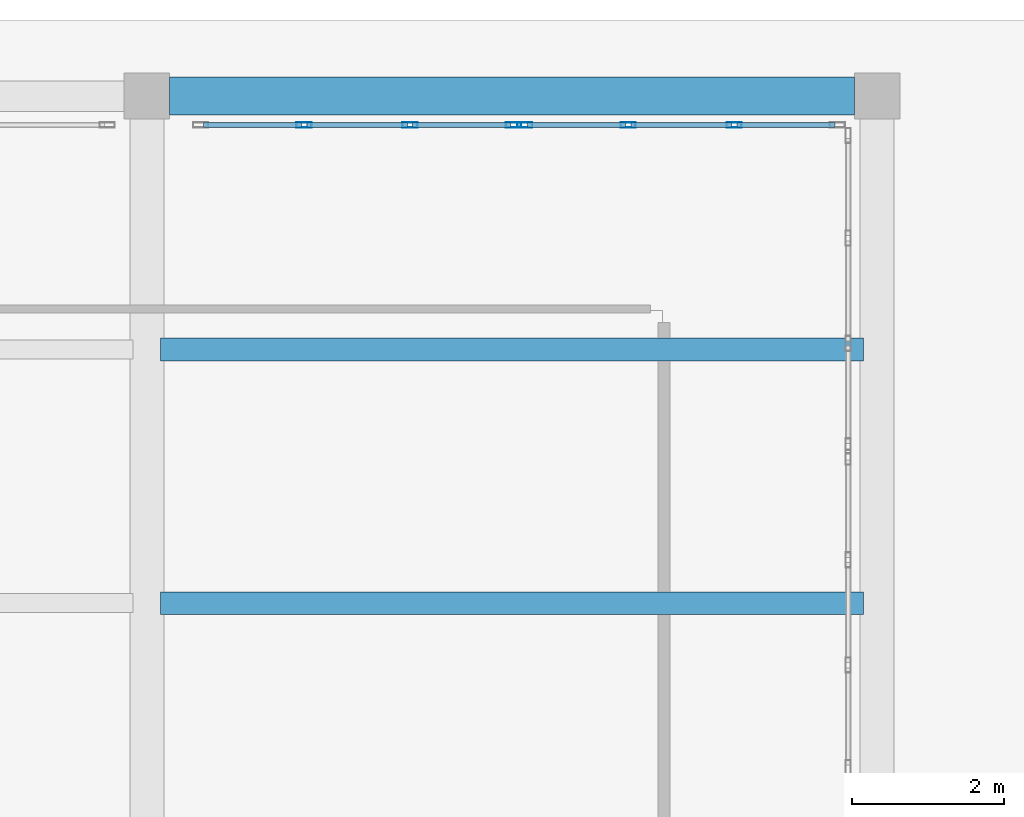
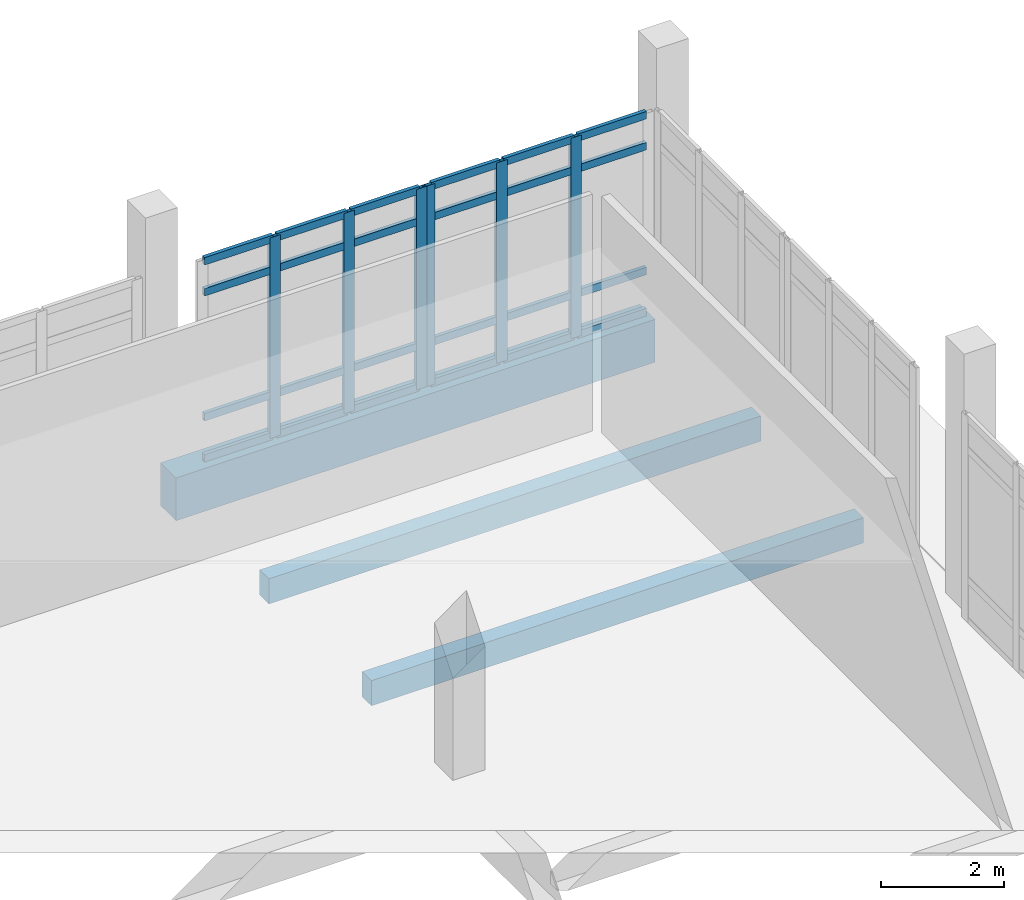
# One storey, part 34 of 64: 30 members, 3 beams, 2 elements without a shape of their own.
"""IFC4 building model written with IfcOpenShell, lengths in metres."""

from ifc_helpers import new_model, si_unit, derived_unit, direction, frame, origin, origin_2d, place, context, subcontext, project, spatial, rectangle, hollow_rectangle, extrude, material, layer, layer_set, material_profile, profile_set, type_object, element, aggregate, save


model = new_model("IFC4")

# Units and contexts
model_context = context("Model", 3, precision=1e-05, world=origin(), true_north=direction((0.0, 1.0)))
body_context = subcontext(model_context, "Body", "Model", "MODEL_VIEW")
ifc_project = project(units=[si_unit("LENGTHUNIT", "METRE"), si_unit("AREAUNIT", "SQUARE_METRE"), si_unit("VOLUMEUNIT", "CUBIC_METRE"), si_unit("PLANEANGLEUNIT", "RADIAN"), si_unit("MASSUNIT", "GRAM", prefix="KILO"), derived_unit("THERMALTRANSMITTANCEUNIT", [(si_unit("POWERUNIT", "WATT"), 1), (si_unit("LENGTHUNIT", "METRE"), -2), (si_unit("THERMODYNAMICTEMPERATUREUNIT", "KELVIN"), -1)])], contexts=[model_context])

# Site, building, storey
site_placement = place(None, origin())
site = spatial("IfcSite", under=ifc_project, at=site_placement, CompositionType="ELEMENT")
building_placement = place(site_placement, origin())
building = spatial("IfcBuilding", under=site, at=building_placement, Name="Elbkamm Science Centre", CompositionType="ELEMENT")
storey_placement = place(building_placement, origin())
storey = spatial("IfcBuildingStorey", under=building, at=storey_placement, Name="L00", CompositionType="ELEMENT", Elevation=0.0)

# Beam
ifc_material_1 = material(Name="Concrete C40/50", Category="concrete")
ifc_material_profile_1 = material_profile(ifc_material_1, rectangle(XDim=0.5, YDim=0.85009765625, at=origin_2d()), Name="RC 500x850")
ifc_profile_set_1 = profile_set([ifc_material_profile_1], Name="Concrete C40/50")
beam_type_1 = type_object("IfcBeamType", Name="BM-RC-500x850", PredefinedType="BEAM", material=ifc_profile_set_1)
beam_placement = place(storey_placement, frame((151.5, 110.800048828125, -0.72509765625), z_axis=(1.0, 0.0, 0.0), x_axis=(0.0, 1.0, 0.0)))
element("IfcBeam", 1, at=beam_placement, inside=storey, type_object=beam_type_1, Name="L00 Primary X-Girder 094", PredefinedType="BEAM", context=body_context, shape_type="SweptSolid", body=[
    extrude(rectangle(XDim=0.5, YDim=0.85009765625, at=origin_2d()), origin(), (0.0, 0.0, 1.0), 9.0),
])

# Curtain wall, members
ifc_material_2 = material(Name="Powder-coated aluminium and triple low-E glazing", Category="aluminium")
ifc_layer = layer(ifc_material_2, 0.159912109375)
ifc_layer_set = layer_set([ifc_layer], Name="Powder-coated aluminium and triple low-E glazing")
curtain_wall_type = type_object("IfcCurtainWallType", Name="CW-UNIT-4180x3980", PredefinedType="USERDEFINED", material=ifc_layer_set)
curtain_wall_1_placement = place(storey_placement, origin())
curtain_wall_1 = element("IfcCurtainWall", 2, at=curtain_wall_1_placement, inside=storey, type_object=curtain_wall_type, Name="L00 Unitised Curtain Wall 112", ObjectType="UNITISED CURTAIN WALL", PredefinedType="USERDEFINED")
ifc_material_3 = material(Name="Powder-coated aluminium EN AW-6060", Category="aluminium")
ifc_material_profile_2 = material_profile(ifc_material_3, hollow_rectangle(XDim=0.070068359375, YDim=0.199951171875, WallThickness=0.00439453125, at=origin_2d()), Name="ALU M70x200")
ifc_profile_set_2 = profile_set([ifc_material_profile_2], Name="Powder-coated aluminium EN AW-6060")
member_type_1 = type_object("IfcMemberType", Name="CW-MUL-70x200", PredefinedType="MULLION", material=ifc_profile_set_2)
member_1_placement = place(storey_placement, frame((153.2666015625, 110.419921875, 0.0), z_axis=(0.0, 0.0, 1.0), x_axis=(0.0, 1.0, 0.0)))
member_1 = element("IfcMember", 3, at=member_1_placement, type_object=member_type_1, Name="CW-056 mullion 2", PredefinedType="MULLION", context=body_context, shape_type="SweptSolid", body=[
    extrude(hollow_rectangle(XDim=0.070068359375, YDim=0.199951171875, WallThickness=0.00439453125, at=origin_2d()), origin(), (0.0, 0.0, 1.0), 3.97998046875),
])
member_2_placement = place(storey_placement, frame((154.66015625, 110.419921875, 0.0), z_axis=(0.0, 0.0, 1.0), x_axis=(0.0, 1.0, 0.0)))
member_2 = element("IfcMember", 4, at=member_2_placement, type_object=member_type_1, Name="CW-056 mullion 3", PredefinedType="MULLION", context=body_context, shape_type="SweptSolid", body=[
    extrude(hollow_rectangle(XDim=0.070068359375, YDim=0.199951171875, WallThickness=0.00439453125, at=origin_2d()), origin(), (0.0, 0.0, 1.0), 3.97998046875),
])
member_3_placement = place(storey_placement, frame((156.0185546875, 110.419921875, 0.0), z_axis=(0.0, 0.0, 1.0), x_axis=(0.0, 1.0, 0.0)))
member_3 = element("IfcMember", 5, at=member_3_placement, type_object=member_type_1, Name="CW-056 mullion 4", PredefinedType="MULLION", context=body_context, shape_type="SweptSolid", body=[
    extrude(hollow_rectangle(XDim=0.070068359375, YDim=0.199951171875, WallThickness=0.00439453125, at=origin_2d()), origin(), (0.0, 0.0, 1.0), 3.97998046875),
])

curtain_wall_2_placement = place(storey_placement, origin())
curtain_wall_2 = element("IfcCurtainWall", 6, at=curtain_wall_2_placement, inside=storey, type_object=curtain_wall_type, Name="L00 Unitised Curtain Wall 113", ObjectType="UNITISED CURTAIN WALL", PredefinedType="USERDEFINED")
member_4_placement = place(storey_placement, frame((156.16845703125, 110.419921875, 0.0), z_axis=(0.0, 0.0, 1.0), x_axis=(0.0, 1.0, 0.0)))
member_4 = element("IfcMember", 7, at=member_4_placement, type_object=member_type_1, Name="CW-056 mullion 1", PredefinedType="MULLION", context=body_context, shape_type="SweptSolid", body=[
    extrude(hollow_rectangle(XDim=0.070068359375, YDim=0.199951171875, WallThickness=0.00439453125, at=origin_2d()), origin(), (0.0, 0.0, 1.0), 3.97998046875),
])
member_5_placement = place(storey_placement, frame((157.52685546875, 110.419921875, 0.0), z_axis=(0.0, 0.0, 1.0), x_axis=(0.0, 1.0, 0.0)))
member_5 = element("IfcMember", 8, at=member_5_placement, type_object=member_type_1, Name="CW-056 mullion 2", PredefinedType="MULLION", context=body_context, shape_type="SweptSolid", body=[
    extrude(hollow_rectangle(XDim=0.070068359375, YDim=0.199951171875, WallThickness=0.00439453125, at=origin_2d()), origin(), (0.0, 0.0, 1.0), 3.97998046875),
])
member_6_placement = place(storey_placement, frame((158.92041015625, 110.419921875, 0.0), z_axis=(0.0, 0.0, 1.0), x_axis=(0.0, 1.0, 0.0)))
member_6 = element("IfcMember", 9, at=member_6_placement, type_object=member_type_1, Name="CW-056 mullion 3", PredefinedType="MULLION", context=body_context, shape_type="SweptSolid", body=[
    extrude(hollow_rectangle(XDim=0.070068359375, YDim=0.199951171875, WallThickness=0.00439453125, at=origin_2d()), origin(), (0.0, 0.0, 1.0), 3.97998046875),
])

# Member
ifc_material_profile_3 = material_profile(ifc_material_3, hollow_rectangle(XDim=0.070068359375, YDim=0.14990234375, WallThickness=0.00390625, at=origin_2d()), Name="ALU T70x150")
ifc_profile_set_3 = profile_set([ifc_material_profile_3], Name="Powder-coated aluminium EN AW-6060")
member_type_2 = type_object("IfcMemberType", Name="CW-TRN-70x150", PredefinedType="USERDEFINED", material=ifc_profile_set_3)
member_7_placement = place(storey_placement, frame((151.943359375, 110.419921875, 0.034912109375), z_axis=(1.0, 0.0, 0.0), x_axis=(0.0, 1.0, 0.0)))
member_7 = element("IfcMember", 10, at=member_7_placement, type_object=member_type_2, Name="CW-056 transom 1.1", ObjectType="TRANSOM", PredefinedType="USERDEFINED", context=body_context, shape_type="SweptSolid", body=[
    extrude(hollow_rectangle(XDim=0.070068359375, YDim=0.14990234375, WallThickness=0.00390625, at=origin_2d()), origin(), (0.0, 0.0, 1.0), 1.288330078125),
])

member_8_placement = place(storey_placement, frame((151.943359375, 110.419921875, 0.85009765625), z_axis=(1.0, 0.0, 0.0), x_axis=(0.0, 1.0, 0.0)))
member_8 = element("IfcMember", 11, at=member_8_placement, type_object=member_type_2, Name="CW-056 transom 1.2", ObjectType="TRANSOM", PredefinedType="USERDEFINED", context=body_context, shape_type="SweptSolid", body=[
    extrude(hollow_rectangle(XDim=0.070068359375, YDim=0.14990234375, WallThickness=0.00390625, at=origin_2d()), origin(), (0.0, 0.0, 1.0), 1.288330078125),
])

member_9_placement = place(storey_placement, frame((151.943359375, 110.419921875, 3.330078125), z_axis=(1.0, 0.0, 0.0), x_axis=(0.0, 1.0, 0.0)))
member_9 = element("IfcMember", 12, at=member_9_placement, type_object=member_type_2, Name="CW-056 transom 1.3", ObjectType="TRANSOM", PredefinedType="USERDEFINED", context=body_context, shape_type="SweptSolid", body=[
    extrude(hollow_rectangle(XDim=0.070068359375, YDim=0.14990234375, WallThickness=0.00390625, at=origin_2d()), origin(), (0.0, 0.0, 1.0), 1.288330078125),
])

member_10_placement = place(storey_placement, frame((151.943359375, 110.419921875, 3.945068359375), z_axis=(1.0, 0.0, 0.0), x_axis=(0.0, 1.0, 0.0)))
member_10 = element("IfcMember", 13, at=member_10_placement, type_object=member_type_2, Name="CW-056 transom 1.4", ObjectType="TRANSOM", PredefinedType="USERDEFINED", context=body_context, shape_type="SweptSolid", body=[
    extrude(hollow_rectangle(XDim=0.070068359375, YDim=0.14990234375, WallThickness=0.00390625, at=origin_2d()), origin(), (0.0, 0.0, 1.0), 1.288330078125),
])

member_11_placement = place(storey_placement, frame((153.3017578125, 110.419921875, 0.034912109375), z_axis=(1.0, 0.0, 0.0), x_axis=(0.0, 1.0, 0.0)))
member_11 = element("IfcMember", 14, at=member_11_placement, type_object=member_type_2, Name="CW-056 transom 2.1", ObjectType="TRANSOM", PredefinedType="USERDEFINED", context=body_context, shape_type="SweptSolid", body=[
    extrude(hollow_rectangle(XDim=0.070068359375, YDim=0.14990234375, WallThickness=0.00390625, at=origin_2d()), origin(), (0.0, 0.0, 1.0), 1.3232421875),
])

member_12_placement = place(storey_placement, frame((153.3017578125, 110.419921875, 0.85009765625), z_axis=(1.0, 0.0, 0.0), x_axis=(0.0, 1.0, 0.0)))
member_12 = element("IfcMember", 15, at=member_12_placement, type_object=member_type_2, Name="CW-056 transom 2.2", ObjectType="TRANSOM", PredefinedType="USERDEFINED", context=body_context, shape_type="SweptSolid", body=[
    extrude(hollow_rectangle(XDim=0.070068359375, YDim=0.14990234375, WallThickness=0.00390625, at=origin_2d()), origin(), (0.0, 0.0, 1.0), 1.3232421875),
])

member_13_placement = place(storey_placement, frame((153.3017578125, 110.419921875, 3.330078125), z_axis=(1.0, 0.0, 0.0), x_axis=(0.0, 1.0, 0.0)))
member_13 = element("IfcMember", 16, at=member_13_placement, type_object=member_type_2, Name="CW-056 transom 2.3", ObjectType="TRANSOM", PredefinedType="USERDEFINED", context=body_context, shape_type="SweptSolid", body=[
    extrude(hollow_rectangle(XDim=0.070068359375, YDim=0.14990234375, WallThickness=0.00390625, at=origin_2d()), origin(), (0.0, 0.0, 1.0), 1.3232421875),
])

member_14_placement = place(storey_placement, frame((153.3017578125, 110.419921875, 3.945068359375), z_axis=(1.0, 0.0, 0.0), x_axis=(0.0, 1.0, 0.0)))
member_14 = element("IfcMember", 17, at=member_14_placement, type_object=member_type_2, Name="CW-056 transom 2.4", ObjectType="TRANSOM", PredefinedType="USERDEFINED", context=body_context, shape_type="SweptSolid", body=[
    extrude(hollow_rectangle(XDim=0.070068359375, YDim=0.14990234375, WallThickness=0.00390625, at=origin_2d()), origin(), (0.0, 0.0, 1.0), 1.3232421875),
])

member_15_placement = place(storey_placement, frame((154.695068359375, 110.419921875, 0.034912109375), z_axis=(1.0, 0.0, 0.0), x_axis=(0.0, 1.0, 0.0)))
member_15 = element("IfcMember", 18, at=member_15_placement, type_object=member_type_2, Name="CW-056 transom 3.1", ObjectType="TRANSOM", PredefinedType="USERDEFINED", context=body_context, shape_type="SweptSolid", body=[
    extrude(hollow_rectangle(XDim=0.070068359375, YDim=0.14990234375, WallThickness=0.00390625, at=origin_2d()), origin(), (0.0, 0.0, 1.0), 1.288330078125),
])

member_16_placement = place(storey_placement, frame((154.695068359375, 110.419921875, 0.85009765625), z_axis=(1.0, 0.0, 0.0), x_axis=(0.0, 1.0, 0.0)))
member_16 = element("IfcMember", 19, at=member_16_placement, type_object=member_type_2, Name="CW-056 transom 3.2", ObjectType="TRANSOM", PredefinedType="USERDEFINED", context=body_context, shape_type="SweptSolid", body=[
    extrude(hollow_rectangle(XDim=0.070068359375, YDim=0.14990234375, WallThickness=0.00390625, at=origin_2d()), origin(), (0.0, 0.0, 1.0), 1.288330078125),
])

member_17_placement = place(storey_placement, frame((154.695068359375, 110.419921875, 3.330078125), z_axis=(1.0, 0.0, 0.0), x_axis=(0.0, 1.0, 0.0)))
member_17 = element("IfcMember", 20, at=member_17_placement, type_object=member_type_2, Name="CW-056 transom 3.3", ObjectType="TRANSOM", PredefinedType="USERDEFINED", context=body_context, shape_type="SweptSolid", body=[
    extrude(hollow_rectangle(XDim=0.070068359375, YDim=0.14990234375, WallThickness=0.00390625, at=origin_2d()), origin(), (0.0, 0.0, 1.0), 1.288330078125),
])

member_18_placement = place(storey_placement, frame((154.695068359375, 110.419921875, 3.945068359375), z_axis=(1.0, 0.0, 0.0), x_axis=(0.0, 1.0, 0.0)))
member_18 = element("IfcMember", 21, at=member_18_placement, type_object=member_type_2, Name="CW-056 transom 3.4", ObjectType="TRANSOM", PredefinedType="USERDEFINED", context=body_context, shape_type="SweptSolid", body=[
    extrude(hollow_rectangle(XDim=0.070068359375, YDim=0.14990234375, WallThickness=0.00390625, at=origin_2d()), origin(), (0.0, 0.0, 1.0), 1.288330078125),
])

aggregate(curtain_wall_1, [member_1, member_2, member_3, member_7, member_8, member_9, member_10, member_11, member_12, member_13, member_14, member_15, member_16, member_17, member_18])

member_19_placement = place(storey_placement, frame((156.20361328125, 110.419921875, 0.034912109375), z_axis=(1.0, 0.0, 0.0), x_axis=(0.0, 1.0, 0.0)))
member_19 = element("IfcMember", 22, at=member_19_placement, type_object=member_type_2, Name="CW-056 transom 1.1", ObjectType="TRANSOM", PredefinedType="USERDEFINED", context=body_context, shape_type="SweptSolid", body=[
    extrude(hollow_rectangle(XDim=0.070068359375, YDim=0.14990234375, WallThickness=0.00390625, at=origin_2d()), origin(), (0.0, 0.0, 1.0), 1.288330078125),
])

member_20_placement = place(storey_placement, frame((156.20361328125, 110.419921875, 0.85009765625), z_axis=(1.0, 0.0, 0.0), x_axis=(0.0, 1.0, 0.0)))
member_20 = element("IfcMember", 23, at=member_20_placement, type_object=member_type_2, Name="CW-056 transom 1.2", ObjectType="TRANSOM", PredefinedType="USERDEFINED", context=body_context, shape_type="SweptSolid", body=[
    extrude(hollow_rectangle(XDim=0.070068359375, YDim=0.14990234375, WallThickness=0.00390625, at=origin_2d()), origin(), (0.0, 0.0, 1.0), 1.288330078125),
])

member_21_placement = place(storey_placement, frame((156.20361328125, 110.419921875, 3.330078125), z_axis=(1.0, 0.0, 0.0), x_axis=(0.0, 1.0, 0.0)))
member_21 = element("IfcMember", 24, at=member_21_placement, type_object=member_type_2, Name="CW-056 transom 1.3", ObjectType="TRANSOM", PredefinedType="USERDEFINED", context=body_context, shape_type="SweptSolid", body=[
    extrude(hollow_rectangle(XDim=0.070068359375, YDim=0.14990234375, WallThickness=0.00390625, at=origin_2d()), origin(), (0.0, 0.0, 1.0), 1.288330078125),
])

member_22_placement = place(storey_placement, frame((156.20361328125, 110.419921875, 3.945068359375), z_axis=(1.0, 0.0, 0.0), x_axis=(0.0, 1.0, 0.0)))
member_22 = element("IfcMember", 25, at=member_22_placement, type_object=member_type_2, Name="CW-056 transom 1.4", ObjectType="TRANSOM", PredefinedType="USERDEFINED", context=body_context, shape_type="SweptSolid", body=[
    extrude(hollow_rectangle(XDim=0.070068359375, YDim=0.14990234375, WallThickness=0.00390625, at=origin_2d()), origin(), (0.0, 0.0, 1.0), 1.288330078125),
])

member_23_placement = place(storey_placement, frame((157.56201171875, 110.419921875, 0.034912109375), z_axis=(1.0, 0.0, 0.0), x_axis=(0.0, 1.0, 0.0)))
member_23 = element("IfcMember", 26, at=member_23_placement, type_object=member_type_2, Name="CW-056 transom 2.1", ObjectType="TRANSOM", PredefinedType="USERDEFINED", context=body_context, shape_type="SweptSolid", body=[
    extrude(hollow_rectangle(XDim=0.070068359375, YDim=0.14990234375, WallThickness=0.00390625, at=origin_2d()), origin(), (0.0, 0.0, 1.0), 1.3232421875),
])

member_24_placement = place(storey_placement, frame((157.56201171875, 110.419921875, 0.85009765625), z_axis=(1.0, 0.0, 0.0), x_axis=(0.0, 1.0, 0.0)))
member_24 = element("IfcMember", 27, at=member_24_placement, type_object=member_type_2, Name="CW-056 transom 2.2", ObjectType="TRANSOM", PredefinedType="USERDEFINED", context=body_context, shape_type="SweptSolid", body=[
    extrude(hollow_rectangle(XDim=0.070068359375, YDim=0.14990234375, WallThickness=0.00390625, at=origin_2d()), origin(), (0.0, 0.0, 1.0), 1.3232421875),
])

member_25_placement = place(storey_placement, frame((157.56201171875, 110.419921875, 3.330078125), z_axis=(1.0, 0.0, 0.0), x_axis=(0.0, 1.0, 0.0)))
member_25 = element("IfcMember", 28, at=member_25_placement, type_object=member_type_2, Name="CW-056 transom 2.3", ObjectType="TRANSOM", PredefinedType="USERDEFINED", context=body_context, shape_type="SweptSolid", body=[
    extrude(hollow_rectangle(XDim=0.070068359375, YDim=0.14990234375, WallThickness=0.00390625, at=origin_2d()), origin(), (0.0, 0.0, 1.0), 1.3232421875),
])

member_26_placement = place(storey_placement, frame((157.56201171875, 110.419921875, 3.945068359375), z_axis=(1.0, 0.0, 0.0), x_axis=(0.0, 1.0, 0.0)))
member_26 = element("IfcMember", 29, at=member_26_placement, type_object=member_type_2, Name="CW-056 transom 2.4", ObjectType="TRANSOM", PredefinedType="USERDEFINED", context=body_context, shape_type="SweptSolid", body=[
    extrude(hollow_rectangle(XDim=0.070068359375, YDim=0.14990234375, WallThickness=0.00390625, at=origin_2d()), origin(), (0.0, 0.0, 1.0), 1.3232421875),
])

member_27_placement = place(storey_placement, frame((158.955322265625, 110.419921875, 0.034912109375), z_axis=(1.0, 0.0, 0.0), x_axis=(0.0, 1.0, 0.0)))
member_27 = element("IfcMember", 30, at=member_27_placement, type_object=member_type_2, Name="CW-056 transom 3.1", ObjectType="TRANSOM", PredefinedType="USERDEFINED", context=body_context, shape_type="SweptSolid", body=[
    extrude(hollow_rectangle(XDim=0.070068359375, YDim=0.14990234375, WallThickness=0.00390625, at=origin_2d()), origin(), (0.0, 0.0, 1.0), 1.288330078125),
])

member_28_placement = place(storey_placement, frame((158.955322265625, 110.419921875, 0.85009765625), z_axis=(1.0, 0.0, 0.0), x_axis=(0.0, 1.0, 0.0)))
member_28 = element("IfcMember", 31, at=member_28_placement, type_object=member_type_2, Name="CW-056 transom 3.2", ObjectType="TRANSOM", PredefinedType="USERDEFINED", context=body_context, shape_type="SweptSolid", body=[
    extrude(hollow_rectangle(XDim=0.070068359375, YDim=0.14990234375, WallThickness=0.00390625, at=origin_2d()), origin(), (0.0, 0.0, 1.0), 1.288330078125),
])

member_29_placement = place(storey_placement, frame((158.955322265625, 110.419921875, 3.330078125), z_axis=(1.0, 0.0, 0.0), x_axis=(0.0, 1.0, 0.0)))
member_29 = element("IfcMember", 32, at=member_29_placement, type_object=member_type_2, Name="CW-056 transom 3.3", ObjectType="TRANSOM", PredefinedType="USERDEFINED", context=body_context, shape_type="SweptSolid", body=[
    extrude(hollow_rectangle(XDim=0.070068359375, YDim=0.14990234375, WallThickness=0.00390625, at=origin_2d()), origin(), (0.0, 0.0, 1.0), 1.288330078125),
])

member_30_placement = place(storey_placement, frame((158.955322265625, 110.419921875, 3.945068359375), z_axis=(1.0, 0.0, 0.0), x_axis=(0.0, 1.0, 0.0)))
member_30 = element("IfcMember", 33, at=member_30_placement, type_object=member_type_2, Name="CW-056 transom 3.4", ObjectType="TRANSOM", PredefinedType="USERDEFINED", context=body_context, shape_type="SweptSolid", body=[
    extrude(hollow_rectangle(XDim=0.070068359375, YDim=0.14990234375, WallThickness=0.00390625, at=origin_2d()), origin(), (0.0, 0.0, 1.0), 1.288330078125),
])

aggregate(curtain_wall_2, [member_4, member_5, member_6, member_19, member_20, member_21, member_22, member_23, member_24, member_25, member_26, member_27, member_28, member_29, member_30])

# Beams
ifc_material_profile_4 = material_profile(ifc_material_1, rectangle(XDim=0.300048828125, YDim=0.5, at=origin_2d()), Name="RC 300x500")
ifc_profile_set_4 = profile_set([ifc_material_profile_4], Name="Concrete C40/50")
beam_type_2 = type_object("IfcBeamType", Name="JST-RC-300x500", PredefinedType="JOIST", material=ifc_profile_set_4)
for number, where, z_axis, x_axis, name in (
    (34, (151.3798828125, 104.13330078125, -0.550048828125), (1.0, 0.0, 0.0), (0.0, 1.0, 0.0), "L00 Secondary Floor Joist 079"),
    (35, (151.3798828125, 107.466796875, -0.550048828125), (1.0, 0.0, 0.0), (0.0, 1.0, 0.0), "L00 Secondary Floor Joist 080"),
):
    element("IfcBeam", number, at=place(storey_placement, frame(where, z_axis=z_axis, x_axis=x_axis)), inside=storey, type_object=beam_type_2, Name=name, PredefinedType="JOIST", context=body_context, shape_type="SweptSolid", body=[
        extrude(rectangle(XDim=0.300048828125, YDim=0.5, at=origin_2d()), origin(), (0.0, 0.0, 1.0), 9.240234375),
    ])

save(model, "model.ifc")
